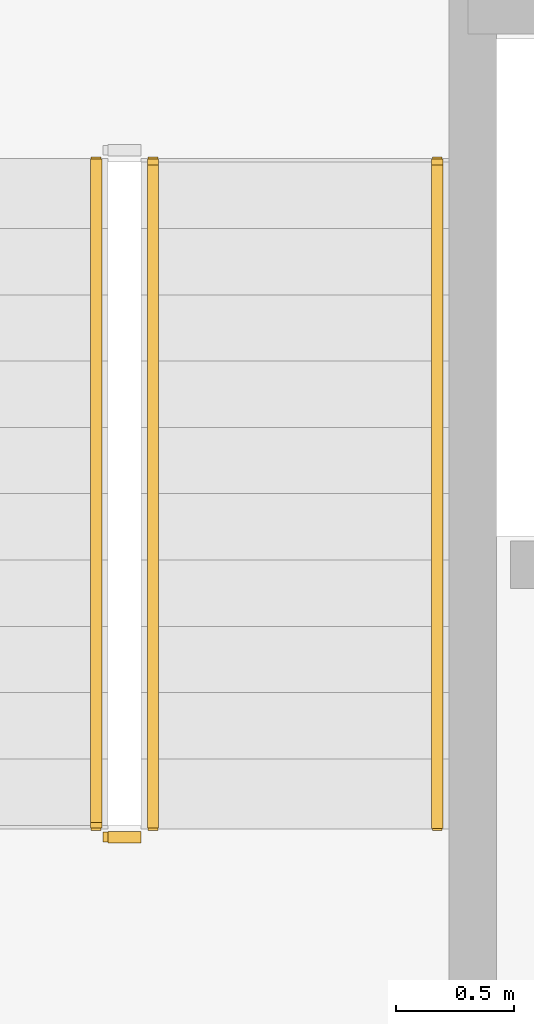
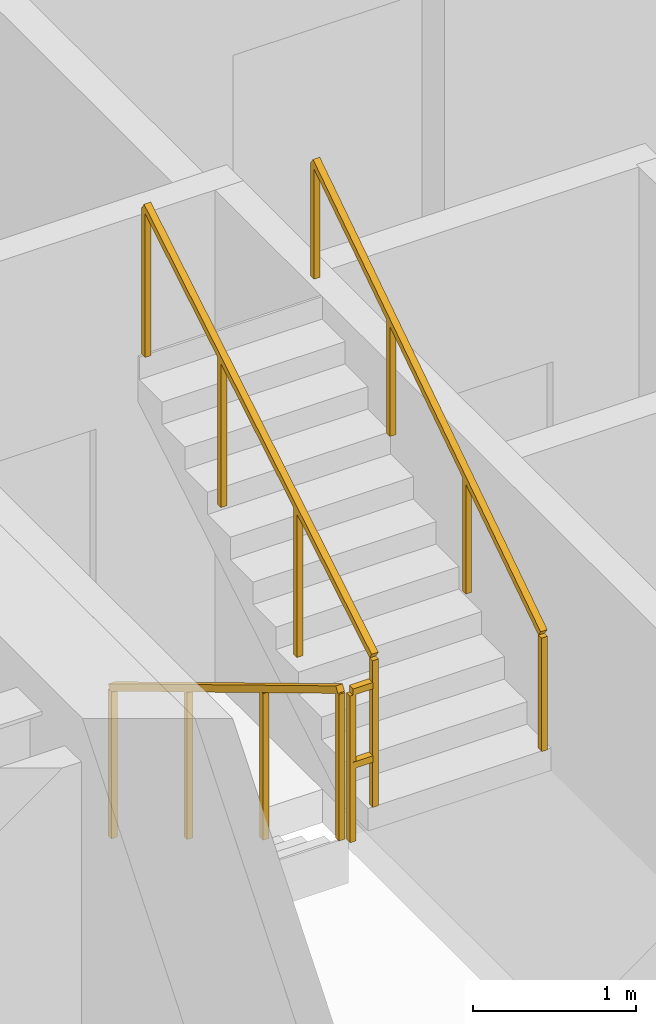
# One storey, part 15 of 19: 4 railings.
"""IFC4 building model written with IfcOpenShell, lengths in metres."""

from ifc_helpers import new_model, si_unit, derived_unit, direction, frame, origin, origin_2d, place, context, subcontext, project, spatial, rectangle, extrude, material, type_object, element, save


model = new_model("IFC4")

# Units and contexts
model_context = context("Model", 3, precision=1e-05, world=origin(), true_north=direction((0.0, 1.0)))
body_context = subcontext(model_context, "Body", "Model", "MODEL_VIEW")
ifc_project = project(units=[si_unit("LENGTHUNIT", "METRE"), si_unit("AREAUNIT", "SQUARE_METRE"), si_unit("VOLUMEUNIT", "CUBIC_METRE"), si_unit("PLANEANGLEUNIT", "RADIAN"), si_unit("MASSUNIT", "GRAM", prefix="KILO"), si_unit("THERMODYNAMICTEMPERATUREUNIT", "KELVIN"), si_unit("POWERUNIT", "WATT"), derived_unit("THERMALTRANSMITTANCEUNIT", [(si_unit("POWERUNIT", "WATT"), 1), (si_unit("AREAUNIT", "SQUARE_METRE"), -1), (si_unit("THERMODYNAMICTEMPERATUREUNIT", "KELVIN"), -1)])], contexts=[model_context])

# Site, building, storey
site_placement = place(None, origin())
site = spatial("IfcSite", under=ifc_project, at=site_placement, CompositionType="ELEMENT")
building_placement = place(site_placement, origin())
building = spatial("IfcBuilding", under=site, at=building_placement, Name="Zahravan Archway Hotel and Residences", CompositionType="ELEMENT")
storey_placement = place(building_placement, frame((0.0, 0.0, 47.199951171875)))
storey = spatial("IfcBuildingStorey", under=building, at=storey_placement, Name="L10", CompositionType="ELEMENT", Elevation=47.199951171875)

# Railings
ifc_material_1 = material(Name="Painted Tubular Steel", Category="steel")
railing_type_1 = type_object("IfcRailingType", Name="RL-STG-1150", PredefinedType="GUARDRAIL", material=ifc_material_1)
railing_1_placement = place(storey_placement, frame((36.550048828125, 9.72998046875, 0.168212890625)))
element("IfcRailing", 1, at=railing_1_placement, inside=storey, type_object=railing_type_1, Name="L10 ST-A1 stair guard 1", PredefinedType="GUARDRAIL", context=body_context, shape_type="SweptSolid", body=[
    extrude(rectangle(XDim=0.048095703125, YDim=0.048095703125, at=origin_2d()), frame((0.0, 0.0, 1.1259765625), z_axis=(0.0, -0.857242210791, 0.514913383045), x_axis=(1.0, 0.0, 0.0)), (0.0, 0.0, 1.0), 3.266357421875),
    extrude(rectangle(XDim=0.0419921875, YDim=0.0419921875, at=origin_2d()), origin(), (0.0, 0.0, 1.0), 1.101806640625),
    extrude(rectangle(XDim=0.0419921875, YDim=0.0419921875, at=origin_2d()), frame((0.0, -0.933349609375, 0.560546875)), (0.0, 0.0, 1.0), 1.101806640625),
    extrude(rectangle(XDim=0.0419921875, YDim=0.0419921875, at=origin_2d()), frame((0.0, -1.86669921875, 1.121337890625)), (0.0, 0.0, 1.0), 1.101806640625),
    extrude(rectangle(XDim=0.0419921875, YDim=0.0419921875, at=origin_2d()), frame((0.0, -2.800048828125, 1.681884765625)), (0.0, 0.0, 1.0), 1.101806640625),
])
railing_2_placement = place(storey_placement, frame((36.60009765625, 6.8798828125, 1.85009765625)))
element("IfcRailing", 2, at=railing_2_placement, inside=storey, type_object=railing_type_1, Name="L10 ST-A1 stair guard 2", PredefinedType="GUARDRAIL", context=body_context, shape_type="SweptSolid", body=[
    extrude(rectangle(XDim=0.048095703125, YDim=0.048095703125, at=origin_2d()), frame((0.0, 0.0, 1.1259765625), z_axis=(1.0, 0.0, 0.0), x_axis=(0.0, 1.0, 0.0)), (0.0, 0.0, 1.0), 0.139892578125),
    extrude(rectangle(XDim=0.048095703125, YDim=0.048095703125, at=origin_2d()), frame((0.0, 0.0, 0.574951171875), z_axis=(1.0, 0.0, 0.0), x_axis=(0.0, 1.0, 0.0)), (0.0, 0.0, 1.0), 0.139892578125),
    extrude(rectangle(XDim=0.0419921875, YDim=0.0419921875, at=origin_2d()), origin(), (0.0, 0.0, 1.0), 1.101806640625),
])
railing_3_placement = place(storey_placement, frame((36.7900390625, 6.929931640625, 2.018310546875)))
element("IfcRailing", 3, at=railing_3_placement, inside=storey, type_object=railing_type_1, Name="L10 ST-A1 stair guard 3", PredefinedType="GUARDRAIL", context=body_context, shape_type="SweptSolid", body=[
    extrude(rectangle(XDim=0.048095703125, YDim=0.048095703125, at=origin_2d()), frame((0.0, 0.0, 1.1259765625), z_axis=(0.0, 0.857275202839, 0.514858452973), x_axis=(-1.0, 0.0, 0.0)), (0.0, 0.0, 1.0), 3.26611328125),
    extrude(rectangle(XDim=0.0419921875, YDim=0.0419921875, at=origin_2d()), origin(), (0.0, 0.0, 1.0), 1.101806640625),
    extrude(rectangle(XDim=0.0419921875, YDim=0.0419921875, at=origin_2d()), frame((0.0, 0.933349609375, 0.560546875)), (0.0, 0.0, 1.0), 1.101806640625),
    extrude(rectangle(XDim=0.0419921875, YDim=0.0419921875, at=origin_2d()), frame((0.0, 1.86669921875, 1.12109375)), (0.0, 0.0, 1.0), 1.101806640625),
    extrude(rectangle(XDim=0.0419921875, YDim=0.0419921875, at=origin_2d()), frame((0.0, 2.800048828125, 1.681640625)), (0.0, 0.0, 1.0), 1.101806640625),
])
ifc_material_2 = material(Name="Brushed Stainless Steel", Category="steel")
railing_type_2 = type_object("IfcRailingType", Name="RL-STH-900", PredefinedType="HANDRAIL", material=ifc_material_2)
railing_4_placement = place(storey_placement, frame((37.989990234375, 6.929931640625, 2.018310546875)))
element("IfcRailing", 4, at=railing_4_placement, inside=storey, type_object=railing_type_2, Name="L10 ST-A1 stair handrail 2", PredefinedType="HANDRAIL", context=body_context, shape_type="SweptSolid", body=[
    extrude(rectangle(XDim=0.048095703125, YDim=0.048095703125, at=origin_2d()), frame((0.0, 0.0, 0.8759765625), z_axis=(0.0, 0.83435981716, 0.551220187865), x_axis=(-1.0, 0.0, 0.0)), (0.0, 0.0, 1.0), 3.35595703125),
    extrude(rectangle(XDim=0.0419921875, YDim=0.0419921875, at=origin_2d()), origin(), (0.0, 0.0, 1.0), 0.851806640625),
    extrude(rectangle(XDim=0.0419921875, YDim=0.0419921875, at=origin_2d()), frame((0.0, 0.933349609375, 0.61669921875)), (0.0, 0.0, 1.0), 0.851806640625),
    extrude(rectangle(XDim=0.0419921875, YDim=0.0419921875, at=origin_2d()), frame((0.0, 1.86669921875, 1.233154296875)), (0.0, 0.0, 1.0), 0.851806640625),
    extrude(rectangle(XDim=0.0419921875, YDim=0.0419921875, at=origin_2d()), frame((0.0, 2.800048828125, 1.849853515625)), (0.0, 0.0, 1.0), 0.851806640625),
])

save(model, "model.ifc")
